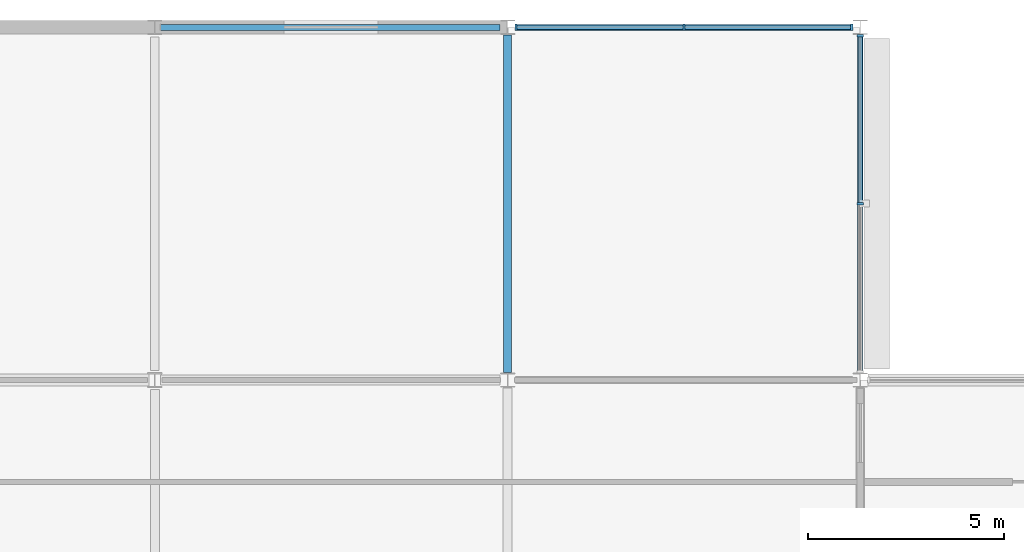
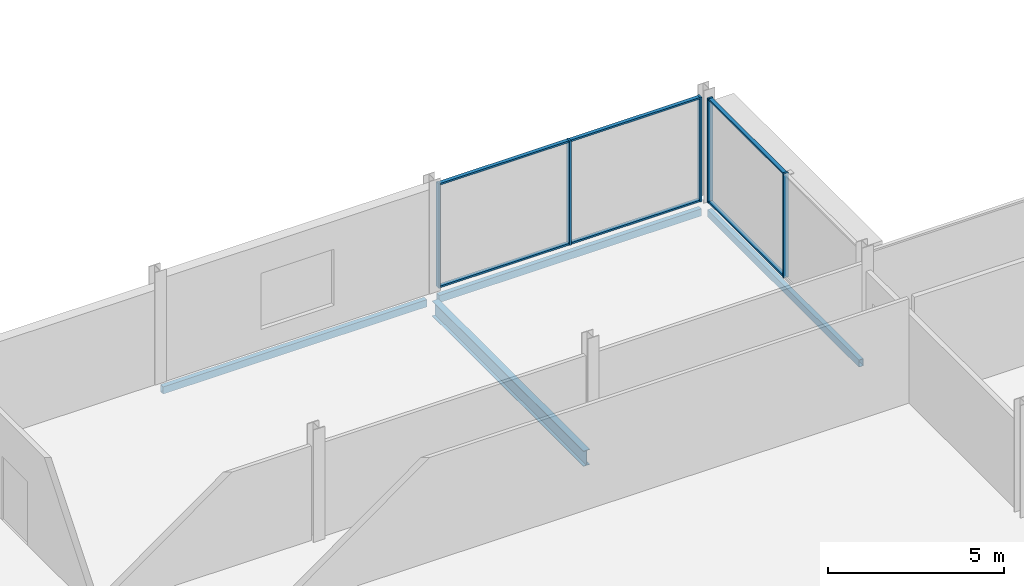
# One storey, part 34 of 98: 11 members, 4 beams, 2 elements without a shape of their own.
"""IFC4 building model written with IfcOpenShell, lengths in metres."""

from ifc_helpers import new_model, si_unit, direction, frame, origin, origin_2d, place, context, subcontext, project, spatial, rectangle, hollow_rectangle, i_section, extrude, material, layer, layer_set, material_profile, profile_set, type_object, element, aggregate, save


model = new_model("IFC4")

# Units and contexts
model_context = context("Model", 3, precision=1e-05, world=origin(), true_north=direction((0.0, 1.0)))
body_context = subcontext(model_context, "Body", "Model", "MODEL_VIEW")
ifc_project = project(units=[si_unit("LENGTHUNIT", "METRE"), si_unit("AREAUNIT", "SQUARE_METRE"), si_unit("VOLUMEUNIT", "CUBIC_METRE"), si_unit("PLANEANGLEUNIT", "RADIAN"), si_unit("MASSUNIT", "GRAM", prefix="KILO")], contexts=[model_context])

# Site, building, storey
site_placement = place(None, origin())
site = spatial("IfcSite", under=ifc_project, at=site_placement, CompositionType="ELEMENT")
building_placement = place(site_placement, origin())
building = spatial("IfcBuilding", under=site, at=building_placement, Name="Kisiwana Market Hall", CompositionType="ELEMENT")
storey_placement = place(building_placement, frame((0.0, 0.0, 29.39990234375)))
storey = spatial("IfcBuildingStorey", under=building, at=storey_placement, Name="L06", CompositionType="ELEMENT", Elevation=29.39990234375)

# Beams
ifc_material_1 = material(Name="Steel S355", Category="steel")
ifc_material_profile_1 = material_profile(ifc_material_1, i_section(OverallWidth=0.209228515625, OverallDepth=0.533203125, WebThickness=0.010009765625, FlangeThickness=0.015625, at=origin_2d()), Name="UB 533x210x92")
ifc_profile_set_1 = profile_set([ifc_material_profile_1], Name="Steel S355")
beam_type_1 = type_object("IfcBeamType", Name="BM-GIRD-UB533", PredefinedType="BEAM", material=ifc_profile_set_1)
beam_1_placement = place(storey_placement, frame((36.0, 102.19921875, -0.511474609375), z_axis=(0.0, 1.0, 0.0), x_axis=(-1.0, 0.0, 0.0)))
element("IfcBeam", 1, at=beam_1_placement, inside=storey, type_object=beam_type_1, Name="Primary girder B-1716", PredefinedType="BEAM", context=body_context, shape_type="SweptSolid", body=[
    extrude(i_section(OverallWidth=0.209228515625, OverallDepth=0.533203125, WebThickness=0.010009765625, FlangeThickness=0.015625, at=origin_2d()), origin(), (0.0, 0.0, 1.0), 8.6015625),
])
ifc_material_2 = material(Name="Steel S355", Category="steel")
ifc_material_profile_2 = material_profile(ifc_material_2, hollow_rectangle(XDim=0.14990234375, YDim=0.25, WallThickness=0.010009765625, at=origin_2d()), Name="RHS 250x150x10.0")
ifc_profile_set_2 = profile_set([ifc_material_profile_2], Name="Steel S355")
beam_type_2 = type_object("IfcBeamType", Name="BM-SPAN-RHS250", PredefinedType="SPANDREL", material=ifc_profile_set_2)
beam_2_placement = place(storey_placement, frame((27.14599609375, 111.0, -0.369873046875), z_axis=(1.0, 0.0, 0.0), x_axis=(0.0, 1.0, 0.0)))
element("IfcBeam", 2, at=beam_2_placement, inside=storey, type_object=beam_type_2, Name="Floor beam B-1843", PredefinedType="SPANDREL", context=body_context, shape_type="SweptSolid", body=[
    extrude(hollow_rectangle(XDim=0.14990234375, YDim=0.25, WallThickness=0.010009765625, at=origin_2d()), origin(), (0.0, 0.0, 1.0), 8.65478515625),
])
for number, where, z_axis, x_axis, name in (
    (3, (36.19921875, 111.0, -0.369873046875), (1.0, 0.0, 0.0), (0.0, 1.0, 0.0), "Floor beam B-1844"),
    (4, (45.0, 102.19921875, -0.369873046875), (0.0, 1.0, 0.0), (-1.0, 0.0, 0.0), "Floor beam B-1862"),
):
    element("IfcBeam", number, at=place(storey_placement, frame(where, z_axis=z_axis, x_axis=x_axis)), inside=storey, type_object=beam_type_2, Name=name, PredefinedType="SPANDREL", context=body_context, shape_type="SweptSolid", body=[
        extrude(hollow_rectangle(XDim=0.14990234375, YDim=0.25, WallThickness=0.010009765625, at=origin_2d()), origin(), (0.0, 0.0, 1.0), 8.6015625),
    ])

# Curtain wall, members
ifc_material_3 = material(Name="Double-glazed solar-control low-E IGU", Category="glass")
ifc_layer = layer(ifc_material_3, 0.159912109375)
ifc_layer_set = layer_set([ifc_layer], Name="CW-ZNA-EW-8200")
curtain_wall_type = type_object("IfcCurtainWallType", Name="CW-ZNA-EW-8200", PredefinedType="USERDEFINED", material=ifc_layer_set)
curtain_wall_1_placement = place(storey_placement, origin())
curtain_wall_1 = element("IfcCurtainWall", 5, at=curtain_wall_1_placement, inside=storey, type_object=curtain_wall_type, Name="Unitised curtain wall CW-196 (L06)", ObjectType="UNITISED CURTAIN WALL", PredefinedType="USERDEFINED")
ifc_material_4 = material(Name="Aluminium alloy 6063-T6", Category="aluminium")
ifc_material_profile_3 = material_profile(ifc_material_4, rectangle(XDim=0.06005859375, YDim=0.159912109375, at=origin_2d()), Name="ALU MULLION 60x160")
ifc_profile_set_3 = profile_set([ifc_material_profile_3], Name="Aluminium alloy 6063-T6")
member_type_1 = type_object("IfcMemberType", Name="CW-MULL-60x160", PredefinedType="MULLION", material=ifc_profile_set_3)
member_1_placement = place(storey_placement, frame((36.21533203125, 111.0, 0.0), z_axis=(0.0, 0.0, 1.0), x_axis=(1.0, 0.0, 0.0)))
member_1 = element("IfcMember", 6, at=member_1_placement, type_object=member_type_1, Name="CW-196 mullion 1", PredefinedType="MULLION", context=body_context, shape_type="SweptSolid", body=[
    extrude(rectangle(XDim=0.06005859375, YDim=0.159912109375, at=origin_2d()), origin(), (0.0, 0.0, 1.0), 3.6201171875),
])
member_2_placement = place(storey_placement, frame((40.5, 111.0, 0.0), z_axis=(0.0, 0.0, 1.0), x_axis=(1.0, 0.0, 0.0)))
member_2 = element("IfcMember", 7, at=member_2_placement, type_object=member_type_1, Name="CW-196 mullion 2", PredefinedType="MULLION", context=body_context, shape_type="SweptSolid", body=[
    extrude(rectangle(XDim=0.06005859375, YDim=0.159912109375, at=origin_2d()), origin(), (0.0, 0.0, 1.0), 3.6201171875),
])
member_3_placement = place(storey_placement, frame((44.78466796875, 111.0, 0.0), z_axis=(0.0, 0.0, 1.0), x_axis=(1.0, 0.0, 0.0)))
member_3 = element("IfcMember", 8, at=member_3_placement, type_object=member_type_1, Name="CW-196 mullion 3", PredefinedType="MULLION", context=body_context, shape_type="SweptSolid", body=[
    extrude(rectangle(XDim=0.06005859375, YDim=0.159912109375, at=origin_2d()), origin(), (0.0, 0.0, 1.0), 3.6201171875),
])

curtain_wall_2_placement = place(storey_placement, origin())
curtain_wall_2 = element("IfcCurtainWall", 9, at=curtain_wall_2_placement, inside=storey, type_object=curtain_wall_type, Name="Unitised curtain wall CW-203 (L06)", ObjectType="UNITISED CURTAIN WALL", PredefinedType="USERDEFINED")
member_4_placement = place(storey_placement, frame((45.0, 106.5, 0.0), z_axis=(0.0, 0.0, 1.0), x_axis=(0.0, 1.0, 0.0)))
member_4 = element("IfcMember", 10, at=member_4_placement, type_object=member_type_1, Name="CW-203 mullion 2", PredefinedType="MULLION", context=body_context, shape_type="SweptSolid", body=[
    extrude(rectangle(XDim=0.06005859375, YDim=0.159912109375, at=origin_2d()), origin(), (0.0, 0.0, 1.0), 3.6201171875),
])
member_5_placement = place(storey_placement, frame((45.0, 110.7890625, 0.0), z_axis=(0.0, 0.0, 1.0), x_axis=(0.0, 1.0, 0.0)))
member_5 = element("IfcMember", 11, at=member_5_placement, type_object=member_type_1, Name="CW-203 mullion 3", PredefinedType="MULLION", context=body_context, shape_type="SweptSolid", body=[
    extrude(rectangle(XDim=0.06005859375, YDim=0.159912109375, at=origin_2d()), origin(), (0.0, 0.0, 1.0), 3.6201171875),
])

# Member
ifc_material_5 = material(Name="Aluminium alloy 6063-T6", Category="aluminium")
ifc_material_profile_4 = material_profile(ifc_material_5, rectangle(XDim=0.1201171875, YDim=0.06005859375, at=origin_2d()), Name="ALU TRANSOM 60x120")
ifc_profile_set_4 = profile_set([ifc_material_profile_4], Name="Aluminium alloy 6063-T6")
member_type_2 = type_object("IfcMemberType", Name="CW-TRAN-60x120", PredefinedType="USERDEFINED", material=ifc_profile_set_4)
member_6_placement = place(storey_placement, frame((36.245361328125, 111.0, 0.030029296875), z_axis=(1.0, 0.0, 0.0), x_axis=(0.0, 1.0, 0.0)))
member_6 = element("IfcMember", 12, at=member_6_placement, type_object=member_type_2, Name="CW-196 transom 1.1", ObjectType="TRANSOM", PredefinedType="USERDEFINED", context=body_context, shape_type="SweptSolid", body=[
    extrude(rectangle(XDim=0.1201171875, YDim=0.06005859375, at=origin_2d()), origin(), (0.0, 0.0, 1.0), 4.224609375),
])

member_7_placement = place(storey_placement, frame((36.245361328125, 111.0, 3.590087890625), z_axis=(1.0, 0.0, 0.0), x_axis=(0.0, 1.0, 0.0)))
member_7 = element("IfcMember", 13, at=member_7_placement, type_object=member_type_2, Name="CW-196 transom 1.2", ObjectType="TRANSOM", PredefinedType="USERDEFINED", context=body_context, shape_type="SweptSolid", body=[
    extrude(rectangle(XDim=0.1201171875, YDim=0.06005859375, at=origin_2d()), origin(), (0.0, 0.0, 1.0), 4.224609375),
])

member_8_placement = place(storey_placement, frame((40.530029296875, 111.0, 0.030029296875), z_axis=(1.0, 0.0, 0.0), x_axis=(0.0, 1.0, 0.0)))
member_8 = element("IfcMember", 14, at=member_8_placement, type_object=member_type_2, Name="CW-196 transom 2.1", ObjectType="TRANSOM", PredefinedType="USERDEFINED", context=body_context, shape_type="SweptSolid", body=[
    extrude(rectangle(XDim=0.1201171875, YDim=0.06005859375, at=origin_2d()), origin(), (0.0, 0.0, 1.0), 4.224609375),
])

member_9_placement = place(storey_placement, frame((40.530029296875, 111.0, 3.590087890625), z_axis=(1.0, 0.0, 0.0), x_axis=(0.0, 1.0, 0.0)))
member_9 = element("IfcMember", 15, at=member_9_placement, type_object=member_type_2, Name="CW-196 transom 2.2", ObjectType="TRANSOM", PredefinedType="USERDEFINED", context=body_context, shape_type="SweptSolid", body=[
    extrude(rectangle(XDim=0.1201171875, YDim=0.06005859375, at=origin_2d()), origin(), (0.0, 0.0, 1.0), 4.224609375),
])

aggregate(curtain_wall_1, [member_1, member_2, member_3, member_6, member_7, member_8, member_9])

member_10_placement = place(storey_placement, frame((45.0, 106.530029296875, 0.030029296875), z_axis=(0.0, 1.0, 0.0), x_axis=(-1.0, 0.0, 0.0)))
member_10 = element("IfcMember", 16, at=member_10_placement, type_object=member_type_2, Name="CW-203 transom 2.1", ObjectType="TRANSOM", PredefinedType="USERDEFINED", context=body_context, shape_type="SweptSolid", body=[
    extrude(rectangle(XDim=0.1201171875, YDim=0.06005859375, at=origin_2d()), origin(), (0.0, 0.0, 1.0), 4.22900390625),
])

member_11_placement = place(storey_placement, frame((45.0, 106.530029296875, 3.590087890625), z_axis=(0.0, 1.0, 0.0), x_axis=(-1.0, 0.0, 0.0)))
member_11 = element("IfcMember", 17, at=member_11_placement, type_object=member_type_2, Name="CW-203 transom 2.2", ObjectType="TRANSOM", PredefinedType="USERDEFINED", context=body_context, shape_type="SweptSolid", body=[
    extrude(rectangle(XDim=0.1201171875, YDim=0.06005859375, at=origin_2d()), origin(), (0.0, 0.0, 1.0), 4.22900390625),
])

aggregate(curtain_wall_2, [member_4, member_5, member_10, member_11])

save(model, "model.ifc")
